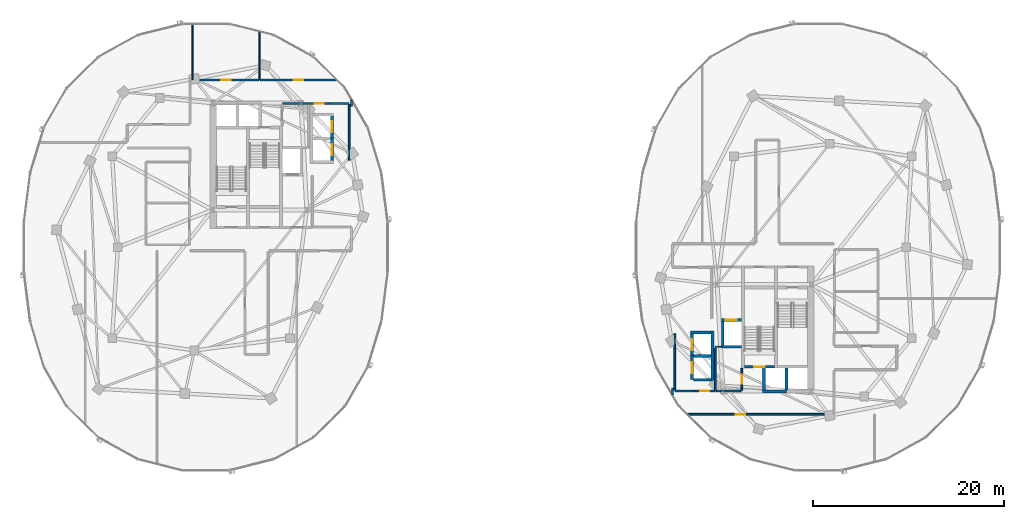
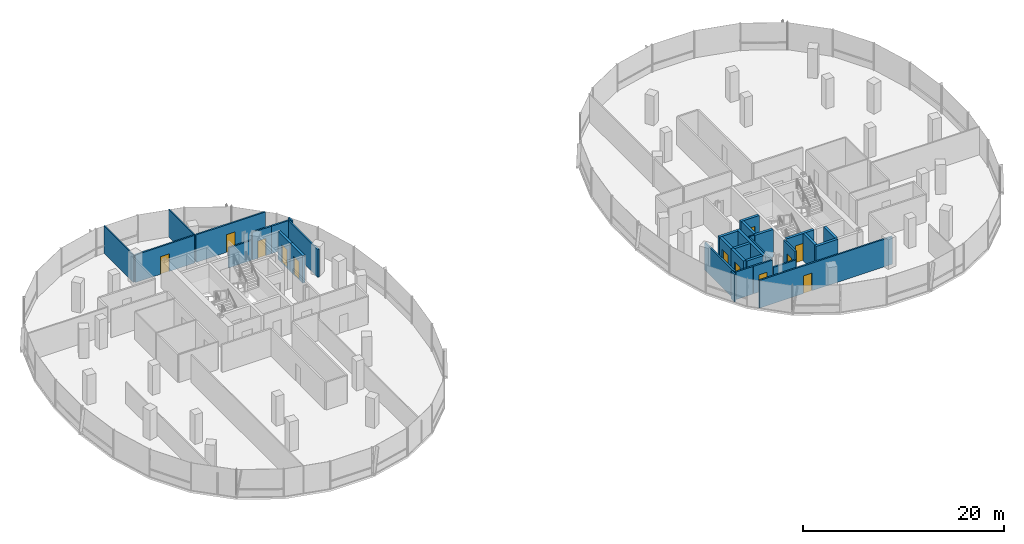
# One storey, part 13 of 22: 33 walls, 12 doors, 12 openings.
"""IFC4 building model written with IfcOpenShell, lengths in metres."""

from ifc_helpers import new_model, si_unit, direction, frame, frame_2d, origin, place, context, subcontext, project, spatial, rectangle, extrude, material, layer, layer_set, type_object, element, fill, save


model = new_model("IFC4")

# Units and contexts
model_context = context("Model", 3, precision=1e-05, world=origin(), true_north=direction((0.0, 1.0)))
body_context = subcontext(model_context, "Body", "Model", "MODEL_VIEW")
ifc_project = project(units=[si_unit("LENGTHUNIT", "METRE"), si_unit("AREAUNIT", "SQUARE_METRE"), si_unit("VOLUMEUNIT", "CUBIC_METRE"), si_unit("PLANEANGLEUNIT", "RADIAN"), si_unit("MASSUNIT", "GRAM", prefix="KILO"), si_unit("THERMODYNAMICTEMPERATUREUNIT", "KELVIN"), si_unit("POWERUNIT", "WATT")], contexts=[model_context])

# Site, building, storey
site_placement = place(None, origin())
site = spatial("IfcSite", under=ifc_project, at=site_placement, CompositionType="ELEMENT")
building_placement = place(site_placement, origin())
building = spatial("IfcBuilding", under=site, at=building_placement, Name="Cundina Bronze Exchange", CompositionType="ELEMENT")
storey_placement = place(building_placement, frame((0.0, 0.0, 144.0)))
storey = spatial("IfcBuildingStorey", under=building, at=storey_placement, Name="L37", CompositionType="ELEMENT", Elevation=144.0)

# Wall
ifc_material_1 = material(Name="Gypsum Fireboard Partition EI120")
ifc_layer_1 = layer(ifc_material_1, 0.179931640625, Name="Gypsum Fireboard Partition EI120")
ifc_layer_set_1 = layer_set([ifc_layer_1], Name="Gypsum Fireboard Partition EI120")
wall_type_1 = type_object("IfcWallType", Name="WL-COR-180", PredefinedType="PARTITIONING", material=ifc_layer_set_1)
wall_1_placement = place(storey_placement, frame((-17.02001953125, 9.070068359375, 0.0), z_axis=(0.0, 0.0, 1.0), x_axis=(0.0, 1.0, 0.0)))
element("IfcWall", 1, at=wall_1_placement, inside=storey, type_object=wall_type_1, Name="L37 Interior Partition 001", PredefinedType="PARTITIONING", context=body_context, shape_type="SweptSolid", body=[
    extrude(rectangle(XDim=5.85986328125, YDim=0.179931640625, at=frame_2d((2.929931640625, 0.0))), origin(), (0.0, 0.0, 1.0), 3.360107421875),
])

# Wall, opening, door
wall_2_placement = place(storey_placement, frame((-21.22998046875, 15.030029296875, 0.0), z_axis=(0.0, 0.0, 1.0), x_axis=(1.0, 0.0, 0.0)))
wall_2 = element("IfcWall", 2, at=wall_2_placement, inside=storey, type_object=wall_type_1, Name="L37 Interior Partition 002", PredefinedType="PARTITIONING", context=body_context, shape_type="SweptSolid", body=[
    extrude(rectangle(XDim=2.159912109375, YDim=0.179931640625, at=frame_2d((1.080078125, 0.0))), origin(), (0.0, 0.0, 1.0), 3.360107421875),
])
opening_1_placement = place(wall_2_placement, frame((0.60498046875, 0.0, 0.0)))
opening_1 = element("IfcOpeningElement", 3, at=opening_1_placement, cuts=wall_2, Name="Opening DW-01", PredefinedType="OPENING", context=body_context, shape_type="SweptSolid", body=[
    extrude(rectangle(XDim=0.949951171875, YDim=2.10009765625, at=frame_2d((0.47509765625, 1.050048828125))), frame((0.0, 0.099853515625, 0.0), z_axis=(0.0, -1.0, 0.0), x_axis=(1.0, 0.0, 0.0)), (0.0, 0.0, 1.0), 0.199951171875),
])
ifc_material_2 = material(Name="Solid Andean Oak Timber Grade A", Category="wood")
door_type_1 = type_object("IfcDoorType", Name="DR-WC-950", OperationType="NOTDEFINED", PredefinedType="DOOR", material=ifc_material_2)
door_1_placement = place(opening_1_placement, origin())
door_1 = element("IfcDoor", 4, at=door_1_placement, inside=storey, type_object=door_type_1, Name="L37 Interior Door 002", OperationType="SINGLE_SWING_RIGHT", OverallHeight=2.10009765625, OverallWidth=0.949951171875, PredefinedType="DOOR", context=body_context, shape_type="SweptSolid", body=[
    extrude(rectangle(XDim=0.949951171875, YDim=2.10009765625, at=frame_2d((0.47509765625, 1.050048828125))), frame((0.0, 0.02490234375, 0.0), z_axis=(0.0, -1.0, 0.0), x_axis=(1.0, 0.0, 0.0)), (0.0, 0.0, 1.0), 0.050048828125),
])
fill(opening_1, door_1)

# Walls
wall_3_placement = place(storey_placement, frame((-19.030029296875, 15.030029296875, 0.0), z_axis=(0.0, 0.0, 1.0), x_axis=(1.0, 0.0, 0.0)))
element("IfcWall", 5, at=wall_3_placement, inside=storey, type_object=wall_type_1, Name="L37 Interior Partition 003", PredefinedType="PARTITIONING", context=body_context, shape_type="SweptSolid", body=[
    extrude(rectangle(XDim=1.989990234375, YDim=0.179931640625, at=frame_2d((0.9951171875, 0.0))), origin(), (0.0, 0.0, 1.0), 3.360107421875),
])
wall_4_placement = place(storey_placement, frame((-23.9599609375, 15.030029296875, 0.0), z_axis=(0.0, 0.0, 1.0), x_axis=(1.0, 0.0, 0.0)))
element("IfcWall", 6, at=wall_4_placement, inside=storey, type_object=wall_type_1, Name="L37 Interior Partition 006", PredefinedType="PARTITIONING", context=body_context, shape_type="SweptSolid", body=[
    extrude(rectangle(XDim=2.60986328125, YDim=0.179931640625, at=frame_2d((1.304931640625, 0.0))), origin(), (0.0, 0.0, 1.0), 2.43310546875),
])
wall_5_placement = place(storey_placement, frame((-16.780029296875, 14.721435546875, 0.0), z_axis=(0.0, 0.0, 1.0), x_axis=(0.0, 1.0, 0.0)))
element("IfcWall", 7, at=wall_5_placement, inside=storey, type_object=wall_type_1, Name="L37 Interior Partition 032", PredefinedType="PARTITIONING", context=body_context, shape_type="SweptSolid", body=[
    extrude(rectangle(XDim=0.68359375, YDim=0.179931640625, at=frame_2d((0.341796875, 0.0))), origin(), (0.0, 0.0, 1.0), 3.360107421875),
])

# Wall, opening, door
wall_6_placement = place(storey_placement, frame((-18.341796875, 17.469970703125, 0.0), z_axis=(0.0, 0.0, 1.0), x_axis=(-1.0, 0.0, 0.0)))
wall_6 = element("IfcWall", 8, at=wall_6_placement, inside=storey, type_object=wall_type_1, Name="L37 Interior Partition 036", PredefinedType="PARTITIONING", context=body_context, shape_type="SweptSolid", body=[
    extrude(rectangle(XDim=7.96826171875, YDim=0.179931640625, at=frame_2d((3.984130859375, 0.0))), origin(), (0.0, 0.0, 1.0), 3.360107421875),
])
opening_2_placement = place(wall_6_placement, frame((3.484130859375, 0.0, 0.0)))
opening_2 = element("IfcOpeningElement", 9, at=opening_2_placement, cuts=wall_6, Name="Opening DO-01", PredefinedType="OPENING", context=body_context, shape_type="SweptSolid", body=[
    extrude(rectangle(XDim=1.0, YDim=2.14990234375, at=frame_2d((0.5, 1.074951171875))), frame((0.0, 0.099853515625, 0.0), z_axis=(0.0, -1.0, 0.0), x_axis=(1.0, 0.0, 0.0)), (0.0, 0.0, 1.0), 0.199951171875),
])
door_type_2 = type_object("IfcDoorType", Name="DR-OFF-1000", OperationType="NOTDEFINED", PredefinedType="DOOR", material=ifc_material_2)
door_2_placement = place(opening_2_placement, origin())
door_2 = element("IfcDoor", 10, at=door_2_placement, inside=storey, type_object=door_type_2, Name="L37 Interior Door 036", OperationType="SINGLE_SWING_RIGHT", OverallHeight=2.14990234375, OverallWidth=1.0, PredefinedType="DOOR", context=body_context, shape_type="SweptSolid", body=[
    extrude(rectangle(XDim=1.0, YDim=2.14990234375, at=frame_2d((0.5, 1.074951171875))), frame((0.0, 0.02490234375, 0.0), z_axis=(0.0, -1.0, 0.0), x_axis=(1.0, 0.0, 0.0)), (0.0, 0.0, 1.0), 0.050048828125),
])
fill(opening_2, door_2)

wall_7_placement = place(storey_placement, frame((-26.489990234375, 17.469970703125, 0.0), z_axis=(0.0, 0.0, 1.0), x_axis=(-1.0, 0.0, 0.0)))
wall_7 = element("IfcWall", 11, at=wall_7_placement, inside=storey, type_object=wall_type_1, Name="L37 Interior Partition 037", PredefinedType="PARTITIONING", context=body_context, shape_type="SweptSolid", body=[
    extrude(rectangle(XDim=6.820068359375, YDim=0.179931640625, at=frame_2d((3.41015625, 0.0))), origin(), (0.0, 0.0, 1.0), 3.360107421875),
])
opening_3_placement = place(wall_7_placement, frame((2.909912109375, 0.0, 0.0)))
opening_3 = element("IfcOpeningElement", 12, at=opening_3_placement, cuts=wall_7, Name="Opening DO-01", PredefinedType="OPENING", context=body_context, shape_type="SweptSolid", body=[
    extrude(rectangle(XDim=1.0, YDim=2.14990234375, at=frame_2d((0.5, 1.074951171875))), frame((0.0, 0.099853515625, 0.0), z_axis=(0.0, -1.0, 0.0), x_axis=(1.0, 0.0, 0.0)), (0.0, 0.0, 1.0), 0.199951171875),
])
door_3_placement = place(opening_3_placement, origin())
door_3 = element("IfcDoor", 13, at=door_3_placement, inside=storey, type_object=door_type_2, Name="L37 Interior Door 037", OperationType="SINGLE_SWING_LEFT", OverallHeight=2.14990234375, OverallWidth=1.0, PredefinedType="DOOR", context=body_context, shape_type="SweptSolid", body=[
    extrude(rectangle(XDim=1.0, YDim=2.14990234375, at=frame_2d((0.5, 1.074951171875))), frame((0.0, 0.02490234375, 0.0), z_axis=(0.0, -1.0, 0.0), x_axis=(1.0, 0.0, 0.0)), (0.0, 0.0, 1.0), 0.050048828125),
])
fill(opening_3, door_3)

# Walls
wall_8_placement = place(storey_placement, frame((17.02001953125, -14.929931640625, 0.0), z_axis=(0.0, 0.0, 1.0), x_axis=(0.0, 1.0, 0.0)))
element("IfcWall", 14, at=wall_8_placement, inside=storey, type_object=wall_type_1, Name="L37 Interior Partition 038", PredefinedType="PARTITIONING", context=body_context, shape_type="SweptSolid", body=[
    extrude(rectangle(XDim=5.85986328125, YDim=0.179931640625, at=frame_2d((2.929931640625, 0.0))), origin(), (0.0, 0.0, 1.0), 3.360107421875),
])
wall_9_placement = place(storey_placement, frame((17.0400390625, -15.030029296875, 0.0), z_axis=(0.0, 0.0, 1.0), x_axis=(1.0, 0.0, 0.0)))
element("IfcWall", 15, at=wall_9_placement, inside=storey, type_object=wall_type_1, Name="L37 Interior Partition 039", PredefinedType="PARTITIONING", context=body_context, shape_type="SweptSolid", body=[
    extrude(rectangle(XDim=1.989990234375, YDim=0.179931640625, at=frame_2d((0.9951171875, 0.0))), origin(), (0.0, 0.0, 1.0), 3.360107421875),
])

# Wall, opening, door
wall_10_placement = place(storey_placement, frame((21.22998046875, -15.030029296875, 0.0), z_axis=(0.0, 0.0, 1.0), x_axis=(-1.0, 0.0, 0.0)))
wall_10 = element("IfcWall", 16, at=wall_10_placement, inside=storey, type_object=wall_type_1, Name="L37 Interior Partition 040", PredefinedType="PARTITIONING", context=body_context, shape_type="SweptSolid", body=[
    extrude(rectangle(XDim=2.159912109375, YDim=0.179931640625, at=frame_2d((1.080078125, 0.0))), origin(), (0.0, 0.0, 1.0), 3.360107421875),
])
opening_4_placement = place(wall_10_placement, frame((0.60498046875, 0.0, 0.0)))
opening_4 = element("IfcOpeningElement", 17, at=opening_4_placement, cuts=wall_10, Name="Opening DW-01", PredefinedType="OPENING", context=body_context, shape_type="SweptSolid", body=[
    extrude(rectangle(XDim=0.949951171875, YDim=2.10009765625, at=frame_2d((0.47509765625, 1.050048828125))), frame((0.0, 0.099853515625, 0.0), z_axis=(0.0, -1.0, 0.0), x_axis=(1.0, 0.0, 0.0)), (0.0, 0.0, 1.0), 0.199951171875),
])
door_4_placement = place(opening_4_placement, origin())
door_4 = element("IfcDoor", 18, at=door_4_placement, inside=storey, type_object=door_type_1, Name="L37 Interior Door 040", OperationType="SINGLE_SWING_LEFT", OverallHeight=2.10009765625, OverallWidth=0.949951171875, PredefinedType="DOOR", context=body_context, shape_type="SweptSolid", body=[
    extrude(rectangle(XDim=0.949951171875, YDim=2.10009765625, at=frame_2d((0.47509765625, 1.050048828125))), frame((0.0, 0.02490234375, 0.0), z_axis=(0.0, -1.0, 0.0), x_axis=(1.0, 0.0, 0.0)), (0.0, 0.0, 1.0), 0.050048828125),
])
fill(opening_4, door_4)

# Walls
wall_11_placement = place(storey_placement, frame((21.25, -14.929931640625, 0.0), z_axis=(0.0, 0.0, 1.0), x_axis=(0.0, 1.0, 0.0)))
element("IfcWall", 19, at=wall_11_placement, inside=storey, type_object=wall_type_1, Name="L37 Interior Partition 042", PredefinedType="PARTITIONING", context=body_context, shape_type="SweptSolid", body=[
    extrude(rectangle(XDim=4.35986328125, YDim=0.179931640625, at=frame_2d((2.179931640625, 0.0))), origin(), (0.0, 0.0, 1.0), 3.360107421875),
])
wall_12_placement = place(storey_placement, frame((21.35009765625, -15.030029296875, 0.0), z_axis=(0.0, 0.0, 1.0), x_axis=(1.0, 0.0, 0.0)))
element("IfcWall", 20, at=wall_12_placement, inside=storey, type_object=wall_type_1, Name="L37 Interior Partition 043", PredefinedType="PARTITIONING", context=body_context, shape_type="SweptSolid", body=[
    extrude(rectangle(XDim=2.60986328125, YDim=0.179931640625, at=frame_2d((1.304931640625, 0.0))), origin(), (0.0, 0.0, 1.0), 2.43310546875),
])

# Wall, opening, door
wall_13_placement = place(storey_placement, frame((24.02001953125, -14.929931640625, 0.0), z_axis=(0.0, 0.0, 1.0), x_axis=(0.0, 1.0, 0.0)))
wall_13 = element("IfcWall", 21, at=wall_13_placement, inside=storey, type_object=wall_type_1, Name="L37 Interior Partition 045", PredefinedType="PARTITIONING", context=body_context, shape_type="SweptSolid", body=[
    extrude(rectangle(XDim=2.260009765625, YDim=0.179931640625, at=frame_2d((1.1298828125, 0.0))), origin(), (0.0, 0.0, 1.0), 3.360107421875),
])
opening_5_placement = place(wall_13_placement, frame((0.655029296875, 0.0, 0.0)))
opening_5 = element("IfcOpeningElement", 22, at=opening_5_placement, cuts=wall_13, Name="Opening DW-01", PredefinedType="OPENING", context=body_context, shape_type="SweptSolid", body=[
    extrude(rectangle(XDim=0.949951171875, YDim=2.10009765625, at=frame_2d((0.47509765625, 1.050048828125))), frame((0.0, 0.099853515625, 0.0), z_axis=(0.0, -1.0, 0.0), x_axis=(1.0, 0.0, 0.0)), (0.0, 0.0, 1.0), 0.199951171875),
])
door_5_placement = place(opening_5_placement, origin())
door_5 = element("IfcDoor", 23, at=door_5_placement, inside=storey, type_object=door_type_1, Name="L37 Interior Door 045", OperationType="SINGLE_SWING_LEFT", OverallHeight=2.10009765625, OverallWidth=0.949951171875, PredefinedType="DOOR", context=body_context, shape_type="SweptSolid", body=[
    extrude(rectangle(XDim=0.949951171875, YDim=2.10009765625, at=frame_2d((0.47509765625, 1.050048828125))), frame((0.0, 0.02490234375, 0.0), z_axis=(0.0, -1.0, 0.0), x_axis=(1.0, 0.0, 0.0)), (0.0, 0.0, 1.0), 0.050048828125),
])
fill(opening_5, door_5)

wall_14_placement = place(storey_placement, frame((18.341796875, -17.469970703125, 0.0), z_axis=(0.0, 0.0, 1.0), x_axis=(1.0, 0.0, 0.0)))
wall_14 = element("IfcWall", 24, at=wall_14_placement, inside=storey, type_object=wall_type_1, Name="L37 Interior Partition 057", PredefinedType="PARTITIONING", context=body_context, shape_type="SweptSolid", body=[
    extrude(rectangle(XDim=15.28662109375, YDim=0.179931640625, at=frame_2d((7.643310546875, 0.0))), origin(), (0.0, 0.0, 1.0), 3.360107421875),
])
opening_6_placement = place(wall_14_placement, frame((5.036376953125, 0.0, 0.0)))
opening_6 = element("IfcOpeningElement", 25, at=opening_6_placement, cuts=wall_14, Name="Opening DO-01", PredefinedType="OPENING", context=body_context, shape_type="SweptSolid", body=[
    extrude(rectangle(XDim=1.0, YDim=2.14990234375, at=frame_2d((0.5, 1.074951171875))), frame((0.0, 0.099853515625, 0.0), z_axis=(0.0, -1.0, 0.0), x_axis=(1.0, 0.0, 0.0)), (0.0, 0.0, 1.0), 0.199951171875),
])
door_6_placement = place(opening_6_placement, origin())
door_6 = element("IfcDoor", 26, at=door_6_placement, inside=storey, type_object=door_type_2, Name="L37 Interior Door 057", OperationType="SINGLE_SWING_LEFT", OverallHeight=2.14990234375, OverallWidth=1.0, PredefinedType="DOOR", context=body_context, shape_type="SweptSolid", body=[
    extrude(rectangle(XDim=1.0, YDim=2.14990234375, at=frame_2d((0.5, 1.074951171875))), frame((0.0, 0.02490234375, 0.0), z_axis=(0.0, -1.0, 0.0), x_axis=(1.0, 0.0, 0.0)), (0.0, 0.0, 1.0), 0.050048828125),
])
fill(opening_6, door_6)

# Walls
wall_15_placement = place(storey_placement, frame((16.780029296875, -14.721435546875, 0.0), z_axis=(0.0, 0.0, 1.0), x_axis=(0.0, -1.0, 0.0)))
element("IfcWall", 27, at=wall_15_placement, inside=storey, type_object=wall_type_1, Name="L37 Interior Partition 066", PredefinedType="PARTITIONING", context=body_context, shape_type="SweptSolid", body=[
    extrude(rectangle(XDim=0.68359375, YDim=0.179931640625, at=frame_2d((0.341796875, 0.0))), origin(), (0.0, 0.0, 1.0), 3.360107421875),
])
ifc_material_3 = material(Name="Gypsum Acoustic Partition EI60")
ifc_layer_2 = layer(ifc_material_3, 0.125, Name="Gypsum Acoustic Partition EI60")
ifc_layer_set_2 = layer_set([ifc_layer_2], Name="Gypsum Acoustic Partition EI60")
wall_type_2 = type_object("IfcWallType", Name="WL-OFF-125", PredefinedType="PARTITIONING", material=ifc_layer_set_2)
wall_16_placement = place(storey_placement, frame((-33.39990234375, 17.5, 0.0), z_axis=(0.0, 0.0, 1.0), x_axis=(0.0, 1.0, 0.0)))
element("IfcWall", 28, at=wall_16_placement, inside=storey, type_object=wall_type_2, Name="L37 Interior Partition 020", PredefinedType="PARTITIONING", context=body_context, shape_type="SweptSolid", body=[
    extrude(rectangle(XDim=5.902099609375, YDim=0.125, at=frame_2d((2.951171875, 0.0))), origin(), (0.0, 0.0, 1.0), 3.360107421875),
])
wall_17_placement = place(storey_placement, frame((-26.39990234375, 17.5, 0.0), z_axis=(0.0, 0.0, 1.0), x_axis=(0.0, 1.0, 0.0)))
element("IfcWall", 29, at=wall_17_placement, inside=storey, type_object=wall_type_2, Name="L37 Interior Partition 021", PredefinedType="PARTITIONING", context=body_context, shape_type="SweptSolid", body=[
    extrude(rectangle(XDim=5.111083984375, YDim=0.125, at=frame_2d((2.5556640625, 0.0))), origin(), (0.0, 0.0, 1.0), 3.360107421875),
])

# Wall, opening, door
ifc_material_4 = material(Name="Concrete C50/60", Category="concrete")
ifc_layer_3 = layer(ifc_material_4, 0.300048828125, Name="Concrete C50/60", Category="concrete")
ifc_layer_set_3 = layer_set([ifc_layer_3], Name="Concrete C50/60")
wall_type_3 = type_object("IfcWallType", Name="WL-SHFT-300", PredefinedType="SHEAR", material=ifc_layer_set_3)
wall_18_placement = place(storey_placement, frame((-18.800048828125, 8.929931640625, 0.0), z_axis=(0.0, 0.0, 1.0), x_axis=(0.0, 1.0, 0.0)))
wall_18 = element("IfcWall", 30, at=wall_18_placement, inside=storey, type_object=wall_type_3, Name="L37 PM-W2 Hoistway Front Wall", PredefinedType="SHEAR", context=body_context, shape_type="SweptSolid", body=[
    extrude(rectangle(XDim=2.489990234375, YDim=0.300048828125, at=frame_2d((1.2451171875, 0.0))), origin(), (0.0, 0.0, 1.0), 3.360107421875),
])
opening_7_placement = place(wall_18_placement, frame((0.669921875, 0.0, 0.0)))
opening_7 = element("IfcOpeningElement", 31, at=opening_7_placement, cuts=wall_18, Name="Opening LD-01", PredefinedType="OPENING", context=body_context, shape_type="SweptSolid", body=[
    extrude(rectangle(XDim=1.14990234375, YDim=2.199951171875, at=frame_2d((0.574951171875, 1.10009765625))), frame((0.0, 0.159912109375, 0.0), z_axis=(0.0, -1.0, 0.0), x_axis=(1.0, 0.0, 0.0)), (0.0, 0.0, 1.0), 0.320068359375),
])
ifc_material_5 = material(Name="Steel ASTM A36 Painted", Category="steel")
door_type_3 = type_object("IfcDoorType", Name="DR-LND-1150", OperationType="NOTDEFINED", PredefinedType="TRAPDOOR", material=ifc_material_5)
door_7_placement = place(opening_7_placement, origin())
door_7 = element("IfcDoor", 32, at=door_7_placement, inside=storey, type_object=door_type_3, Name="L37 PM-W2 Sliding Landing Door", OperationType="SLIDING_TO_LEFT", OverallHeight=2.199951171875, OverallWidth=1.14990234375, PredefinedType="TRAPDOOR", context=body_context, shape_type="SweptSolid", body=[
    extrude(rectangle(XDim=1.14990234375, YDim=2.199951171875, at=frame_2d((0.574951171875, 1.10009765625))), frame((0.0, 0.02490234375, 0.0), z_axis=(0.0, -1.0, 0.0), x_axis=(1.0, 0.0, 0.0)), (0.0, 0.0, 1.0), 0.050048828125),
])
fill(opening_7, door_7)

wall_19_placement = place(storey_placement, frame((-18.800048828125, 11.330078125, 0.0), z_axis=(0.0, 0.0, 1.0), x_axis=(0.0, 1.0, 0.0)))
wall_19 = element("IfcWall", 33, at=wall_19_placement, inside=storey, type_object=wall_type_3, Name="L37 PM-W1 Hoistway Front Wall", PredefinedType="SHEAR", context=body_context, shape_type="SweptSolid", body=[
    extrude(rectangle(XDim=2.489990234375, YDim=0.300048828125, at=frame_2d((1.2451171875, 0.0))), origin(), (0.0, 0.0, 1.0), 3.360107421875),
])
opening_8_placement = place(wall_19_placement, frame((0.669921875, 0.0, 0.0)))
opening_8 = element("IfcOpeningElement", 34, at=opening_8_placement, cuts=wall_19, Name="Opening LD-01", PredefinedType="OPENING", context=body_context, shape_type="SweptSolid", body=[
    extrude(rectangle(XDim=1.14990234375, YDim=2.199951171875, at=frame_2d((0.574951171875, 1.10009765625))), frame((0.0, 0.159912109375, 0.0), z_axis=(0.0, -1.0, 0.0), x_axis=(1.0, 0.0, 0.0)), (0.0, 0.0, 1.0), 0.320068359375),
])
door_8_placement = place(opening_8_placement, origin())
door_8 = element("IfcDoor", 35, at=door_8_placement, inside=storey, type_object=door_type_3, Name="L37 PM-W1 Sliding Landing Door", OperationType="SLIDING_TO_LEFT", OverallHeight=2.199951171875, OverallWidth=1.14990234375, PredefinedType="TRAPDOOR", context=body_context, shape_type="SweptSolid", body=[
    extrude(rectangle(XDim=1.14990234375, YDim=2.199951171875, at=frame_2d((0.574951171875, 1.10009765625))), frame((0.0, 0.02490234375, 0.0), z_axis=(0.0, -1.0, 0.0), x_axis=(1.0, 0.0, 0.0)), (0.0, 0.0, 1.0), 0.050048828125),
])
fill(opening_8, door_8)

wall_20_placement = place(storey_placement, frame((24.280029296875, -12.5, 0.0), z_axis=(0.0, 0.0, 1.0), x_axis=(1.0, 0.0, 0.0)))
wall_20 = element("IfcWall", 36, at=wall_20_placement, inside=storey, type_object=wall_type_3, Name="L37 Stair E2 Landing Wall", PredefinedType="SHEAR", context=body_context, shape_type="SweptSolid", body=[
    extrude(rectangle(XDim=3.159912109375, YDim=0.300048828125, at=frame_2d((1.580078125, 0.0))), origin(), (0.0, 0.0, 1.0), 3.360107421875),
])
opening_9_placement = place(wall_20_placement, frame((1.030029296875, 0.0, 0.0)))
opening_9 = element("IfcOpeningElement", 37, at=opening_9_placement, cuts=wall_20, Name="Opening DS-01", PredefinedType="OPENING", context=body_context, shape_type="SweptSolid", body=[
    extrude(rectangle(XDim=1.10009765625, YDim=2.14990234375, at=frame_2d((0.550048828125, 1.074951171875))), frame((0.0, 0.159912109375, 0.0), z_axis=(0.0, -1.0, 0.0), x_axis=(1.0, 0.0, 0.0)), (0.0, 0.0, 1.0), 0.320068359375),
])
door_type_4 = type_object("IfcDoorType", Name="DR-STR-1100", OperationType="NOTDEFINED", PredefinedType="DOOR", material=ifc_material_5)
door_9_placement = place(opening_9_placement, origin())
door_9 = element("IfcDoor", 38, at=door_9_placement, inside=storey, type_object=door_type_4, Name="L37 Smokeproof Stair E2 Door", OperationType="SINGLE_SWING_RIGHT", OverallHeight=2.14990234375, OverallWidth=1.10009765625, PredefinedType="DOOR", context=body_context, shape_type="SweptSolid", body=[
    extrude(rectangle(XDim=1.10009765625, YDim=2.14990234375, at=frame_2d((0.550048828125, 1.074951171875))), frame((0.0, 0.02490234375, 0.0), z_axis=(0.0, -1.0, 0.0), x_axis=(1.0, 0.0, 0.0)), (0.0, 0.0, 1.0), 0.050048828125),
])
fill(opening_9, door_9)

wall_21_placement = place(storey_placement, frame((21.8798828125, -7.60009765625, 0.0), z_axis=(0.0, 0.0, 1.0), x_axis=(1.0, 0.0, 0.0)))
wall_21 = element("IfcWall", 39, at=wall_21_placement, inside=storey, type_object=wall_type_3, Name="L37 FFL-E Hoistway Front Wall", PredefinedType="SHEAR", context=body_context, shape_type="SweptSolid", body=[
    extrude(rectangle(XDim=2.10009765625, YDim=0.300048828125, at=frame_2d((1.050048828125, 0.0))), origin(), (0.0, 0.0, 1.0), 3.360107421875),
])
opening_10_placement = place(wall_21_placement, frame((0.47509765625, 0.0, 0.0)))
opening_10 = element("IfcOpeningElement", 40, at=opening_10_placement, cuts=wall_21, Name="Opening LD-01", PredefinedType="OPENING", context=body_context, shape_type="SweptSolid", body=[
    extrude(rectangle(XDim=1.14990234375, YDim=2.199951171875, at=frame_2d((0.574951171875, 1.10009765625))), frame((0.0, 0.159912109375, 0.0), z_axis=(0.0, -1.0, 0.0), x_axis=(1.0, 0.0, 0.0)), (0.0, 0.0, 1.0), 0.320068359375),
])
door_10_placement = place(opening_10_placement, origin())
door_10 = element("IfcDoor", 41, at=door_10_placement, inside=storey, type_object=door_type_3, Name="L37 FFL-E Sliding Landing Door", OperationType="SLIDING_TO_LEFT", OverallHeight=2.199951171875, OverallWidth=1.14990234375, PredefinedType="TRAPDOOR", context=body_context, shape_type="SweptSolid", body=[
    extrude(rectangle(XDim=1.14990234375, YDim=2.199951171875, at=frame_2d((0.574951171875, 1.10009765625))), frame((0.0, 0.02490234375, 0.0), z_axis=(0.0, -1.0, 0.0), x_axis=(1.0, 0.0, 0.0)), (0.0, 0.0, 1.0), 0.050048828125),
])
fill(opening_10, door_10)

# Walls
wall_22_placement = place(storey_placement, frame((21.8798828125, -10.39990234375, 0.0), z_axis=(0.0, 0.0, 1.0), x_axis=(1.0, 0.0, 0.0)))
element("IfcWall", 42, at=wall_22_placement, inside=storey, type_object=wall_type_3, Name="L37 FFL-E Hoistway Back Wall", PredefinedType="SHEAR", context=body_context, shape_type="SweptSolid", body=[
    extrude(rectangle(XDim=2.10009765625, YDim=0.300048828125, at=frame_2d((1.050048828125, 0.0))), origin(), (0.0, 0.0, 1.0), 3.360107421875),
])
wall_23_placement = place(storey_placement, frame((22.030029296875, -10.25, 0.0), z_axis=(0.0, 0.0, 1.0), x_axis=(0.0, 1.0, 0.0)))
element("IfcWall", 43, at=wall_23_placement, inside=storey, type_object=wall_type_3, Name="L37 FFL-E Hoistway Side Wall", PredefinedType="SHEAR", context=body_context, shape_type="SweptSolid", body=[
    extrude(rectangle(XDim=2.5, YDim=0.300048828125, at=frame_2d((1.25, 0.0))), origin(), (0.0, 0.0, 1.0), 3.360107421875),
])
wall_24_placement = place(storey_placement, frame((28.699951171875, -14.949951171875, 0.0), z_axis=(0.0, 0.0, 1.0), x_axis=(0.0, 1.0, 0.0)))
element("IfcWall", 44, at=wall_24_placement, inside=storey, type_object=wall_type_3, Name="L37 PH-E1 Hoistway Divider Wall", PredefinedType="SHEAR", context=body_context, shape_type="SweptSolid", body=[
    extrude(rectangle(XDim=2.300048828125, YDim=0.300048828125, at=frame_2d((1.14990234375, 0.0))), origin(), (0.0, 0.0, 1.0), 3.360107421875),
])
wall_25_placement = place(storey_placement, frame((26.199951171875, -15.10009765625, 0.0), z_axis=(0.0, 0.0, 1.0), x_axis=(1.0, 0.0, 0.0)))
element("IfcWall", 45, at=wall_25_placement, inside=storey, type_object=wall_type_3, Name="L37 PH-E2 Hoistway Front Wall", PredefinedType="SHEAR", context=body_context, shape_type="SweptSolid", body=[
    extrude(rectangle(XDim=2.5, YDim=0.300048828125, at=frame_2d((1.25, 0.0))), origin(), (0.0, 0.0, 1.0), 3.360107421875),
])
wall_26_placement = place(storey_placement, frame((26.35009765625, -14.949951171875, 0.0), z_axis=(0.0, 0.0, 1.0), x_axis=(0.0, 1.0, 0.0)))
element("IfcWall", 46, at=wall_26_placement, inside=storey, type_object=wall_type_3, Name="L37 PH-E2 Hoistway Divider Wall", PredefinedType="SHEAR", context=body_context, shape_type="SweptSolid", body=[
    extrude(rectangle(XDim=2.300048828125, YDim=0.300048828125, at=frame_2d((1.14990234375, 0.0))), origin(), (0.0, 0.0, 1.0), 3.360107421875),
])
wall_27_placement = place(storey_placement, frame((20.949951171875, -14.0, 0.0), z_axis=(0.0, 0.0, 1.0), x_axis=(0.0, 1.0, 0.0)))
element("IfcWall", 47, at=wall_27_placement, inside=storey, type_object=wall_type_3, Name="L37 E Passenger Bank Hoistway Back Wall", PredefinedType="SHEAR", context=body_context, shape_type="SweptSolid", body=[
    extrude(rectangle(XDim=5.25, YDim=0.300048828125, at=frame_2d((2.625, 0.0))), origin(), (0.0, 0.0, 1.0), 3.360107421875),
])
wall_28_placement = place(storey_placement, frame((18.949951171875, -13.85009765625, 0.0), z_axis=(0.0, 0.0, 1.0), x_axis=(1.0, 0.0, 0.0)))
element("IfcWall", 48, at=wall_28_placement, inside=storey, type_object=wall_type_3, Name="L37 E Passenger Bank South Cap Wall", PredefinedType="SHEAR", context=body_context, shape_type="SweptSolid", body=[
    extrude(rectangle(XDim=1.85009765625, YDim=0.300048828125, at=frame_2d((0.925048828125, 0.0))), origin(), (0.0, 0.0, 1.0), 3.360107421875),
])
wall_29_placement = place(storey_placement, frame((18.64990234375, -8.89990234375, 0.0), z_axis=(0.0, 0.0, 1.0), x_axis=(1.0, 0.0, 0.0)))
element("IfcWall", 49, at=wall_29_placement, inside=storey, type_object=wall_type_3, Name="L37 E Passenger Bank North Cap Wall", PredefinedType="SHEAR", context=body_context, shape_type="SweptSolid", body=[
    extrude(rectangle(XDim=2.150146484375, YDim=0.300048828125, at=frame_2d((1.0751953125, 0.0))), origin(), (0.0, 0.0, 1.0), 3.360107421875),
])
wall_30_placement = place(storey_placement, frame((18.949951171875, -11.375, 0.0), z_axis=(0.0, 0.0, 1.0), x_axis=(1.0, 0.0, 0.0)))
element("IfcWall", 50, at=wall_30_placement, inside=storey, type_object=wall_type_3, Name="L37 E Passenger Hoistway Divider 1", PredefinedType="SHEAR", context=body_context, shape_type="SweptSolid", body=[
    extrude(rectangle(XDim=1.85009765625, YDim=0.300048828125, at=frame_2d((0.925048828125, 0.0))), origin(), (0.0, 0.0, 1.0), 3.360107421875),
])

# Wall, opening, door
wall_31_placement = place(storey_placement, frame((18.800048828125, -13.820068359375, 0.0), z_axis=(0.0, 0.0, 1.0), x_axis=(0.0, 1.0, 0.0)))
wall_31 = element("IfcWall", 51, at=wall_31_placement, inside=storey, type_object=wall_type_3, Name="L37 PM-E1 Hoistway Front Wall", PredefinedType="SHEAR", context=body_context, shape_type="SweptSolid", body=[
    extrude(rectangle(XDim=2.489990234375, YDim=0.300048828125, at=frame_2d((1.2451171875, 0.0))), origin(), (0.0, 0.0, 1.0), 3.360107421875),
])
opening_11_placement = place(wall_31_placement, frame((0.669921875, 0.0, 0.0)))
opening_11 = element("IfcOpeningElement", 52, at=opening_11_placement, cuts=wall_31, Name="Opening LD-01", PredefinedType="OPENING", context=body_context, shape_type="SweptSolid", body=[
    extrude(rectangle(XDim=1.14990234375, YDim=2.199951171875, at=frame_2d((0.574951171875, 1.10009765625))), frame((0.0, 0.159912109375, 0.0), z_axis=(0.0, -1.0, 0.0), x_axis=(1.0, 0.0, 0.0)), (0.0, 0.0, 1.0), 0.320068359375),
])
door_11_placement = place(opening_11_placement, origin())
door_11 = element("IfcDoor", 53, at=door_11_placement, inside=storey, type_object=door_type_3, Name="L37 PM-E1 Sliding Landing Door", OperationType="SLIDING_TO_LEFT", OverallHeight=2.199951171875, OverallWidth=1.14990234375, PredefinedType="TRAPDOOR", context=body_context, shape_type="SweptSolid", body=[
    extrude(rectangle(XDim=1.14990234375, YDim=2.199951171875, at=frame_2d((0.574951171875, 1.10009765625))), frame((0.0, 0.02490234375, 0.0), z_axis=(0.0, -1.0, 0.0), x_axis=(1.0, 0.0, 0.0)), (0.0, 0.0, 1.0), 0.050048828125),
])
fill(opening_11, door_11)

wall_32_placement = place(storey_placement, frame((18.800048828125, -11.419921875, 0.0), z_axis=(0.0, 0.0, 1.0), x_axis=(0.0, 1.0, 0.0)))
wall_32 = element("IfcWall", 54, at=wall_32_placement, inside=storey, type_object=wall_type_3, Name="L37 PM-E2 Hoistway Front Wall", PredefinedType="SHEAR", context=body_context, shape_type="SweptSolid", body=[
    extrude(rectangle(XDim=2.489990234375, YDim=0.300048828125, at=frame_2d((1.2451171875, 0.0))), origin(), (0.0, 0.0, 1.0), 3.360107421875),
])
opening_12_placement = place(wall_32_placement, frame((0.669921875, 0.0, 0.0)))
opening_12 = element("IfcOpeningElement", 55, at=opening_12_placement, cuts=wall_32, Name="Opening LD-01", PredefinedType="OPENING", context=body_context, shape_type="SweptSolid", body=[
    extrude(rectangle(XDim=1.14990234375, YDim=2.199951171875, at=frame_2d((0.574951171875, 1.10009765625))), frame((0.0, 0.159912109375, 0.0), z_axis=(0.0, -1.0, 0.0), x_axis=(1.0, 0.0, 0.0)), (0.0, 0.0, 1.0), 0.320068359375),
])
door_12_placement = place(opening_12_placement, origin())
door_12 = element("IfcDoor", 56, at=door_12_placement, inside=storey, type_object=door_type_3, Name="L37 PM-E2 Sliding Landing Door", OperationType="SLIDING_TO_LEFT", OverallHeight=2.199951171875, OverallWidth=1.14990234375, PredefinedType="TRAPDOOR", context=body_context, shape_type="SweptSolid", body=[
    extrude(rectangle(XDim=1.14990234375, YDim=2.199951171875, at=frame_2d((0.574951171875, 1.10009765625))), frame((0.0, 0.02490234375, 0.0), z_axis=(0.0, -1.0, 0.0), x_axis=(1.0, 0.0, 0.0)), (0.0, 0.0, 1.0), 0.050048828125),
])
fill(opening_12, door_12)

# Wall
ifc_material_6 = material(Name="Moisture-Resistant Masonry Block Grade M15", Category="masonry")
ifc_layer_4 = layer(ifc_material_6, 0.139892578125, Name="Moisture-Resistant Masonry Block Grade M15", Category="masonry")
ifc_layer_set_4 = layer_set([ifc_layer_4], Name="Moisture-Resistant Masonry Block Grade M15")
wall_type_4 = type_object("IfcWallType", Name="WL-WET-140", PredefinedType="PARTITIONING", material=ifc_layer_set_4)
wall_33_placement = place(storey_placement, frame((21.27001953125, -10.39990234375, 0.0), z_axis=(0.0, 0.0, 1.0), x_axis=(1.0, 0.0, 0.0)))
element("IfcWall", 57, at=wall_33_placement, inside=storey, type_object=wall_type_4, Name="L37 Interior Partition 041", PredefinedType="PARTITIONING", context=body_context, shape_type="SweptSolid", body=[
    extrude(rectangle(XDim=0.590087890625, YDim=0.139892578125, at=frame_2d((0.294921875, 0.0))), origin(), (0.0, 0.0, 1.0), 3.360107421875),
])

save(model, "model.ifc")
